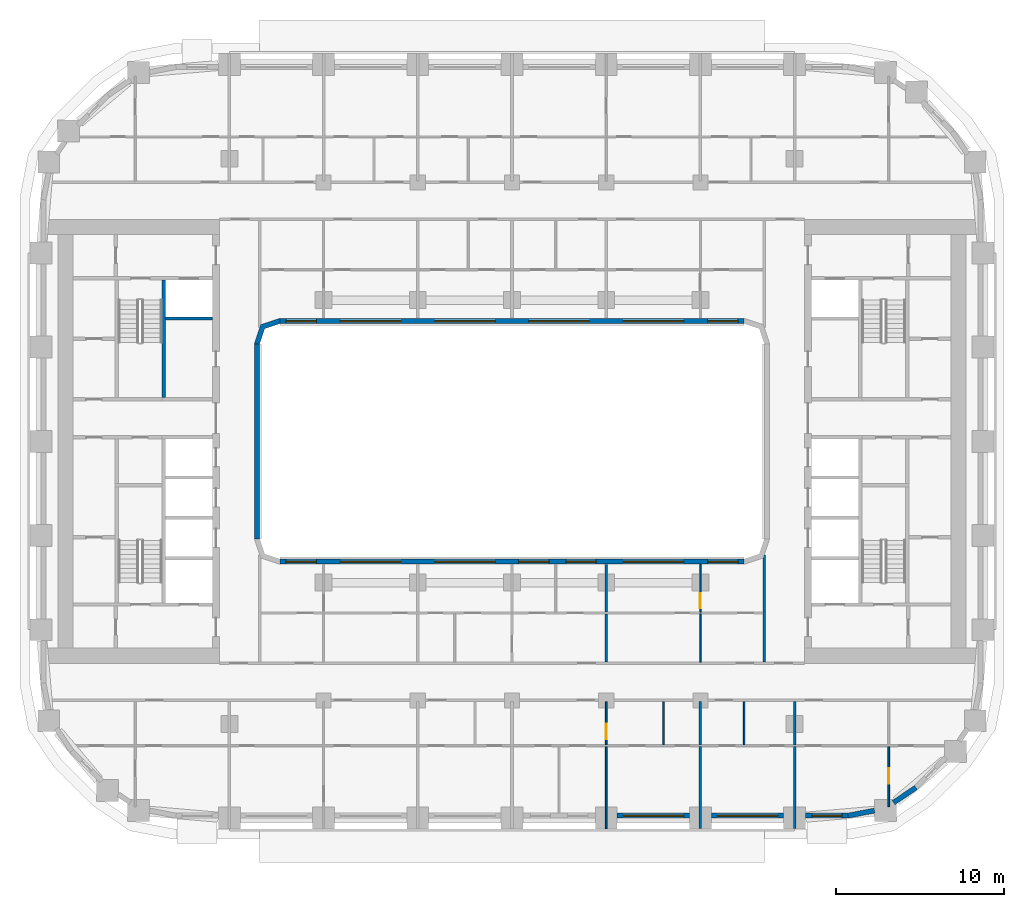
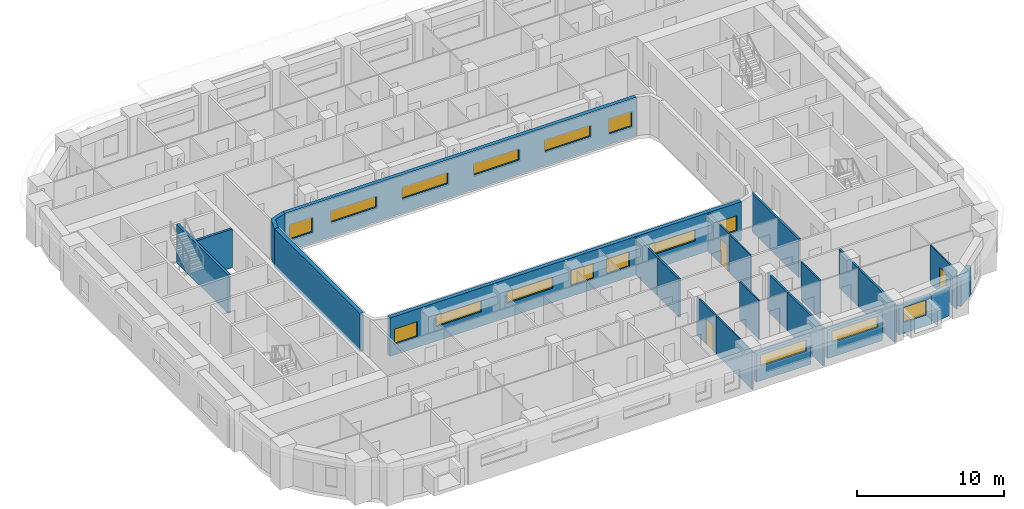
# One storey, part 5 of 22: 25 walls, 16 windows, 3 doors, 19 openings.
"""IFC4 building model written with IfcOpenShell, lengths in metres."""

from ifc_helpers import new_model, si_unit, direction, frame, frame_2d, origin, place, context, subcontext, project, spatial, polyline, rectangle, outline, extrude, material, layer, layer_set, type_object, element, fill, save


model = new_model("IFC4")

# Units and contexts
model_context = context("Model", 3, precision=1e-05, world=origin(), true_north=direction((0.0, 1.0)))
body_context = subcontext(model_context, "Body", "Model", "MODEL_VIEW")
ifc_project = project(units=[si_unit("LENGTHUNIT", "METRE"), si_unit("AREAUNIT", "SQUARE_METRE"), si_unit("VOLUMEUNIT", "CUBIC_METRE"), si_unit("PLANEANGLEUNIT", "RADIAN"), si_unit("MASSUNIT", "GRAM", prefix="KILO")], contexts=[model_context])

# Site, building, storey
site_placement = place(None, origin())
site = spatial("IfcSite", under=ifc_project, at=site_placement, CompositionType="ELEMENT")
building_placement = place(site_placement, origin())
building = spatial("IfcBuilding", under=site, at=building_placement, Name="Kiln Ring Residences", CompositionType="ELEMENT")
storey_placement = place(building_placement, frame((0.0, 0.0, 97.300048828125)))
storey = spatial("IfcBuildingStorey", under=building, at=storey_placement, Name="L24", CompositionType="ELEMENT", Elevation=97.300048828125)

# Walls
ifc_material_1 = material(Name="Gypsum shaft wall system")
ifc_layer_1 = layer(ifc_material_1, 0.199951171875)
ifc_layer_set_1 = layer_set([ifc_layer_1], Name="CORE-SHAFT-WALL-200")
wall_type_1 = type_object("IfcWallType", Name="CORE-SHAFT-WALL-200", PredefinedType="PARTITIONING", material=ifc_layer_set_1)
wall_1_placement = place(storey_placement, frame((-17.800048828125, 7.300048828125, 0.0), z_axis=(0.0, 0.0, 1.0), x_axis=(-1.0, 0.0, 0.0)))
element("IfcWall", 1, at=wall_1_placement, inside=storey, type_object=wall_type_1, Name="Core partition west L24 12", PredefinedType="PARTITIONING", context=body_context, shape_type="SweptSolid", body=[
    extrude(rectangle(XDim=2.800048828125, YDim=0.199951171875, at=frame_2d((1.39990234375, 0.0))), origin(), (0.0, 0.0, 1.0), 3.199951171875),
])
ifc_material_2 = material(Name="Concrete C40/50", Category="concrete")
ifc_layer_2 = layer(ifc_material_2, 0.199951171875)
ifc_layer_set_2 = layer_set([ifc_layer_2], Name="CORE-WALL-RC200")
wall_type_2 = type_object("IfcWallType", Name="CORE-WALL-RC200", PredefinedType="SHEAR", material=ifc_layer_set_2)
wall_2_placement = place(storey_placement, frame((-20.699951171875, 2.60009765625, 0.0), z_axis=(0.0, 0.0, 1.0), x_axis=(0.0, 1.0, 0.0)))
element("IfcWall", 2, at=wall_2_placement, inside=storey, type_object=wall_type_2, Name="Core wall west L24 1", PredefinedType="SHEAR", context=body_context, shape_type="SweptSolid", body=[
    extrude(rectangle(XDim=7.0, YDim=0.199951171875, at=frame_2d((3.5, 0.0))), origin(), (0.0, 0.0, 1.0), 3.199951171875),
])

# Wall, opening, window
ifc_material_3 = material(Name="Brick masonry, dark clay brick", Category="masonry")
ifc_layer_3 = layer(ifc_material_3, 0.300048828125)
ifc_layer_set_3 = layer_set([ifc_layer_3], Name="EW-300 BRICK WALL")
wall_type_3 = type_object("IfcWallType", Name="EW-300 BRICK WALL", PredefinedType="SOLIDWALL", material=ifc_layer_set_3)
wall_3_placement = place(storey_placement, frame((6.25, -22.25, 0.0), z_axis=(0.0, 0.0, 1.0), x_axis=(1.0, 0.0, 0.0)))
wall_3 = element("IfcWall", 3, at=wall_3_placement, inside=storey, type_object=wall_type_3, Name="Facade wall L24 9", PredefinedType="SOLIDWALL", context=body_context, shape_type="SweptSolid", body=[
    extrude(rectangle(XDim=4.300048828125, YDim=0.300048828125, at=frame_2d((2.14990234375, 0.0))), origin(), (0.0, 0.0, 1.0), 2.39990234375),
])
opening_1_placement = place(wall_3_placement, frame((0.35009765625, 0.0, 1.199951171875)))
opening_1 = element("IfcOpeningElement", 4, at=opening_1_placement, cuts=wall_3, Name="Opening W4", PredefinedType="OPENING", context=body_context, shape_type="SweptSolid", body=[
    extrude(rectangle(XDim=3.60009765625, YDim=0.949951171875, at=frame_2d((1.800048828125, 0.47509765625))), frame((0.0, 0.159912109375, 0.0), z_axis=(0.0, -1.0, 0.0), x_axis=(1.0, 0.0, 0.0)), (0.0, 0.0, 1.0), 0.320068359375),
])
ifc_material_4 = material(Name="Aluminium frame with double glazing", Category="aluminium")
window_type_1 = type_object("IfcWindowType", Name="WINDOW 3600 x 950", PartitioningType="SINGLE_PANEL", PredefinedType="WINDOW", material=ifc_material_4)
window_1_placement = place(opening_1_placement, origin())
window_1 = element("IfcWindow", 5, at=window_1_placement, inside=storey, type_object=window_type_1, Name="Window L24 8", OverallHeight=0.949951171875, OverallWidth=3.60009765625, PartitioningType="SINGLE_PANEL", PredefinedType="WINDOW", context=body_context, shape_type="SweptSolid", body=[
    extrude(rectangle(XDim=3.60009765625, YDim=0.949951171875, at=frame_2d((1.800048828125, 0.47509765625))), frame((0.0, 0.030029296875, 0.0), z_axis=(0.0, -1.0, 0.0), x_axis=(1.0, 0.0, 0.0)), (0.0, 0.0, 1.0), 0.06005859375),
])
fill(opening_1, window_1)

wall_4_placement = place(storey_placement, frame((11.85009765625, -22.25, 0.0), z_axis=(0.0, 0.0, 1.0), x_axis=(1.0, 0.0, 0.0)))
wall_4 = element("IfcWall", 6, at=wall_4_placement, inside=storey, type_object=wall_type_3, Name="Facade wall L24 10", PredefinedType="SOLIDWALL", context=body_context, shape_type="SweptSolid", body=[
    extrude(rectangle(XDim=4.2998046875, YDim=0.300048828125, at=frame_2d((2.14990234375, 0.0))), origin(), (0.0, 0.0, 1.0), 2.39990234375),
])
opening_2_placement = place(wall_4_placement, frame((0.35009765625, 0.0, 1.199951171875)))
opening_2 = element("IfcOpeningElement", 7, at=opening_2_placement, cuts=wall_4, Name="Opening W4", PredefinedType="OPENING", context=body_context, shape_type="SweptSolid", body=[
    extrude(rectangle(XDim=3.60009765625, YDim=0.949951171875, at=frame_2d((1.800048828125, 0.47509765625))), frame((0.0, 0.159912109375, 0.0), z_axis=(0.0, -1.0, 0.0), x_axis=(1.0, 0.0, 0.0)), (0.0, 0.0, 1.0), 0.320068359375),
])
window_2_placement = place(opening_2_placement, origin())
window_2 = element("IfcWindow", 8, at=window_2_placement, inside=storey, type_object=window_type_1, Name="Window L24 9", OverallHeight=0.949951171875, OverallWidth=3.60009765625, PartitioningType="SINGLE_PANEL", PredefinedType="WINDOW", context=body_context, shape_type="SweptSolid", body=[
    extrude(rectangle(XDim=3.60009765625, YDim=0.949951171875, at=frame_2d((1.800048828125, 0.47509765625))), frame((0.0, 0.030029296875, 0.0), z_axis=(0.0, -1.0, 0.0), x_axis=(1.0, 0.0, 0.0)), (0.0, 0.0, 1.0), 0.06005859375),
])
fill(opening_2, window_2)

wall_5_placement = place(storey_placement, frame((17.449951171875, -22.25, 0.0), z_axis=(0.0, 0.0, 1.0), x_axis=(1.0, 0.0, 0.0)))
wall_5 = element("IfcWall", 9, at=wall_5_placement, inside=storey, type_object=wall_type_3, Name="Facade wall L24 11", PredefinedType="SOLIDWALL", context=body_context, shape_type="SweptSolid", body=[
    extrude(rectangle(XDim=2.550048828125, YDim=0.300048828125, at=frame_2d((1.27490234375, 0.0))), origin(), (0.0, 0.0, 1.0), 2.39990234375),
])
opening_3_placement = place(wall_5_placement, frame((0.375, 0.0, 0.89990234375)))
opening_3 = element("IfcOpeningElement", 10, at=opening_3_placement, cuts=wall_5, Name="Opening W2", PredefinedType="OPENING", context=body_context, shape_type="SweptSolid", body=[
    extrude(rectangle(XDim=1.800048828125, YDim=1.25, at=frame_2d((0.89990234375, 0.625))), frame((0.0, 0.159912109375, 0.0), z_axis=(0.0, -1.0, 0.0), x_axis=(1.0, 0.0, 0.0)), (0.0, 0.0, 1.0), 0.320068359375),
])
ifc_material_5 = material(Name="Aluminium frame with double glazing", Category="aluminium")
window_type_2 = type_object("IfcWindowType", Name="WINDOW 1800 x 1250", PartitioningType="SINGLE_PANEL", PredefinedType="WINDOW", material=ifc_material_5)
window_3_placement = place(opening_3_placement, origin())
window_3 = element("IfcWindow", 11, at=window_3_placement, inside=storey, type_object=window_type_2, Name="Window L24 10", OverallHeight=1.25, OverallWidth=1.800048828125, PartitioningType="SINGLE_PANEL", PredefinedType="WINDOW", context=body_context, shape_type="SweptSolid", body=[
    extrude(rectangle(XDim=1.800048828125, YDim=1.25, at=frame_2d((0.89990234375, 0.625))), frame((0.0, 0.030029296875, 0.0), z_axis=(0.0, -1.0, 0.0), x_axis=(1.0, 0.0, 0.0)), (0.0, 0.0, 1.0), 0.06005859375),
])
fill(opening_3, window_3)

# Walls
for number, where, z_axis, x_axis, name in (
    (12, (19.971923828125, -22.252685546875, 0.0), (0.0, 0.0, 1.0), (0.982278644094, 0.187426426519, 0.0), "Facade wall L24 12"),
    (13, (22.684326171875, -21.481689453125, 0.0), (0.0, 0.0, 1.0), (0.82705935865, 0.562114594429, 0.0), "Facade wall L24 13"),
):
    element("IfcWall", number, at=place(storey_placement, frame(where, z_axis=z_axis, x_axis=x_axis)), inside=storey, type_object=wall_type_3, Name=name, PredefinedType="SOLIDWALL", context=body_context, shape_type="SweptSolid", body=[
        extrude(rectangle(XDim=1.606201171875, YDim=0.300048828125, at=frame_2d((0.80322265625, 0.0))), origin(), (0.0, 0.0, 1.0), 2.39990234375),
    ])
wall_6_placement = place(storey_placement, frame((-15.14990234375, -5.800048828125, 0.0), z_axis=(0.0, 0.0, 1.0), x_axis=(0.0, 1.0, 0.0)))
element("IfcWall", 14, at=wall_6_placement, inside=storey, type_object=wall_type_3, Name="Facade wall L24 49", PredefinedType="SOLIDWALL", context=body_context, shape_type="SweptSolid", body=[
    extrude(rectangle(XDim=11.60009765625, YDim=0.300048828125, at=frame_2d((5.800048828125, 0.0))), origin(), (0.0, 0.0, 1.0), 3.199951171875),
])

# Wall, openings, windows
wall_7_placement = place(storey_placement, frame((-13.800048828125, 7.14990234375, 0.0), z_axis=(0.0, 0.0, 1.0), x_axis=(1.0, 0.0, 0.0)))
wall_7 = element("IfcWall", 15, at=wall_7_placement, inside=storey, type_object=wall_type_3, Name="Facade wall L24 50", PredefinedType="SOLIDWALL", context=body_context, shape_type="SweptSolid", body=[
    extrude(rectangle(XDim=27.60009765625, YDim=0.300048828125, at=frame_2d((13.800048828125, 0.0))), origin(), (0.0, 0.0, 1.0), 3.199951171875),
])
opening_4_placement = place(wall_7_placement, frame((0.362548828125, 0.0, 0.89990234375)))
opening_4 = element("IfcOpeningElement", 16, at=opening_4_placement, cuts=wall_7, Name="Opening W2", PredefinedType="OPENING", context=body_context, shape_type="SweptSolid", body=[
    extrude(rectangle(XDim=1.800048828125, YDim=1.25, at=frame_2d((0.89990234375, 0.625))), frame((0.0, 0.159912109375, 0.0), z_axis=(0.0, -1.0, 0.0), x_axis=(1.0, 0.0, 0.0)), (0.0, 0.0, 1.0), 0.320068359375),
])
opening_5_placement = place(wall_7_placement, frame((3.60009765625, 0.0, 1.199951171875)))
opening_5 = element("IfcOpeningElement", 17, at=opening_5_placement, cuts=wall_7, Name="Opening W4", PredefinedType="OPENING", context=body_context, shape_type="SweptSolid", body=[
    extrude(rectangle(XDim=3.60009765625, YDim=0.949951171875, at=frame_2d((1.800048828125, 0.47509765625))), frame((0.0, 0.159912109375, 0.0), z_axis=(0.0, -1.0, 0.0), x_axis=(1.0, 0.0, 0.0)), (0.0, 0.0, 1.0), 0.320068359375),
])
opening_6_placement = place(wall_7_placement, frame((9.199951171875, 0.0, 1.199951171875)))
opening_6 = element("IfcOpeningElement", 18, at=opening_6_placement, cuts=wall_7, Name="Opening W4", PredefinedType="OPENING", context=body_context, shape_type="SweptSolid", body=[
    extrude(rectangle(XDim=3.60009765625, YDim=0.949951171875, at=frame_2d((1.800048828125, 0.47509765625))), frame((0.0, 0.159912109375, 0.0), z_axis=(0.0, -1.0, 0.0), x_axis=(1.0, 0.0, 0.0)), (0.0, 0.0, 1.0), 0.320068359375),
])
opening_7_placement = place(wall_7_placement, frame((14.800048828125, 0.0, 1.199951171875)))
opening_7 = element("IfcOpeningElement", 19, at=opening_7_placement, cuts=wall_7, Name="Opening W4", PredefinedType="OPENING", context=body_context, shape_type="SweptSolid", body=[
    extrude(rectangle(XDim=3.60009765625, YDim=0.949951171875, at=frame_2d((1.800048828125, 0.47509765625))), frame((0.0, 0.159912109375, 0.0), z_axis=(0.0, -1.0, 0.0), x_axis=(1.0, 0.0, 0.0)), (0.0, 0.0, 1.0), 0.320068359375),
])
opening_8_placement = place(wall_7_placement, frame((20.39990234375, 0.0, 1.199951171875)))
opening_8 = element("IfcOpeningElement", 20, at=opening_8_placement, cuts=wall_7, Name="Opening W4", PredefinedType="OPENING", context=body_context, shape_type="SweptSolid", body=[
    extrude(rectangle(XDim=3.60009765625, YDim=0.949951171875, at=frame_2d((1.800048828125, 0.47509765625))), frame((0.0, 0.159912109375, 0.0), z_axis=(0.0, -1.0, 0.0), x_axis=(1.0, 0.0, 0.0)), (0.0, 0.0, 1.0), 0.320068359375),
])
opening_9_placement = place(wall_7_placement, frame((25.4375, 0.0, 0.89990234375)))
opening_9 = element("IfcOpeningElement", 21, at=opening_9_placement, cuts=wall_7, Name="Opening W2", PredefinedType="OPENING", context=body_context, shape_type="SweptSolid", body=[
    extrude(rectangle(XDim=1.800048828125, YDim=1.25, at=frame_2d((0.89990234375, 0.625))), frame((0.0, 0.159912109375, 0.0), z_axis=(0.0, -1.0, 0.0), x_axis=(1.0, 0.0, 0.0)), (0.0, 0.0, 1.0), 0.320068359375),
])
window_4_placement = place(opening_4_placement, origin())
window_4 = element("IfcWindow", 22, at=window_4_placement, inside=storey, type_object=window_type_2, Name="Window L24 22", OverallHeight=1.25, OverallWidth=1.800048828125, PartitioningType="SINGLE_PANEL", PredefinedType="WINDOW", context=body_context, shape_type="SweptSolid", body=[
    extrude(rectangle(XDim=1.800048828125, YDim=1.25, at=frame_2d((0.89990234375, 0.625))), frame((0.0, 0.030029296875, 0.0), z_axis=(0.0, -1.0, 0.0), x_axis=(1.0, 0.0, 0.0)), (0.0, 0.0, 1.0), 0.06005859375),
])
fill(opening_4, window_4)
window_5_placement = place(opening_9_placement, origin())
window_5 = element("IfcWindow", 23, at=window_5_placement, inside=storey, type_object=window_type_2, Name="Window L24 27", OverallHeight=1.25, OverallWidth=1.800048828125, PartitioningType="SINGLE_PANEL", PredefinedType="WINDOW", context=body_context, shape_type="SweptSolid", body=[
    extrude(rectangle(XDim=1.800048828125, YDim=1.25, at=frame_2d((0.89990234375, 0.625))), frame((0.0, 0.030029296875, 0.0), z_axis=(0.0, -1.0, 0.0), x_axis=(1.0, 0.0, 0.0)), (0.0, 0.0, 1.0), 0.06005859375),
])
fill(opening_9, window_5)
window_6_placement = place(opening_5_placement, origin())
window_6 = element("IfcWindow", 24, at=window_6_placement, inside=storey, type_object=window_type_1, Name="Window L24 23", OverallHeight=0.949951171875, OverallWidth=3.60009765625, PartitioningType="SINGLE_PANEL", PredefinedType="WINDOW", context=body_context, shape_type="SweptSolid", body=[
    extrude(rectangle(XDim=3.60009765625, YDim=0.949951171875, at=frame_2d((1.800048828125, 0.47509765625))), frame((0.0, 0.030029296875, 0.0), z_axis=(0.0, -1.0, 0.0), x_axis=(1.0, 0.0, 0.0)), (0.0, 0.0, 1.0), 0.06005859375),
])
fill(opening_5, window_6)
window_7_placement = place(opening_6_placement, origin())
window_7 = element("IfcWindow", 25, at=window_7_placement, inside=storey, type_object=window_type_1, Name="Window L24 24", OverallHeight=0.949951171875, OverallWidth=3.60009765625, PartitioningType="SINGLE_PANEL", PredefinedType="WINDOW", context=body_context, shape_type="SweptSolid", body=[
    extrude(rectangle(XDim=3.60009765625, YDim=0.949951171875, at=frame_2d((1.800048828125, 0.47509765625))), frame((0.0, 0.030029296875, 0.0), z_axis=(0.0, -1.0, 0.0), x_axis=(1.0, 0.0, 0.0)), (0.0, 0.0, 1.0), 0.06005859375),
])
fill(opening_6, window_7)
window_8_placement = place(opening_7_placement, origin())
window_8 = element("IfcWindow", 26, at=window_8_placement, inside=storey, type_object=window_type_1, Name="Window L24 25", OverallHeight=0.949951171875, OverallWidth=3.60009765625, PartitioningType="SINGLE_PANEL", PredefinedType="WINDOW", context=body_context, shape_type="SweptSolid", body=[
    extrude(rectangle(XDim=3.60009765625, YDim=0.949951171875, at=frame_2d((1.800048828125, 0.47509765625))), frame((0.0, 0.030029296875, 0.0), z_axis=(0.0, -1.0, 0.0), x_axis=(1.0, 0.0, 0.0)), (0.0, 0.0, 1.0), 0.06005859375),
])
fill(opening_7, window_8)
window_9_placement = place(opening_8_placement, origin())
window_9 = element("IfcWindow", 27, at=window_9_placement, inside=storey, type_object=window_type_1, Name="Window L24 26", OverallHeight=0.949951171875, OverallWidth=3.60009765625, PartitioningType="SINGLE_PANEL", PredefinedType="WINDOW", context=body_context, shape_type="SweptSolid", body=[
    extrude(rectangle(XDim=3.60009765625, YDim=0.949951171875, at=frame_2d((1.800048828125, 0.47509765625))), frame((0.0, 0.030029296875, 0.0), z_axis=(0.0, -1.0, 0.0), x_axis=(1.0, 0.0, 0.0)), (0.0, 0.0, 1.0), 0.06005859375),
])
fill(opening_8, window_9)

wall_8_placement = place(storey_placement, frame((13.800048828125, -7.14990234375, 0.0), z_axis=(0.0, 0.0, 1.0), x_axis=(-1.0, 0.0, 0.0)))
wall_8 = element("IfcWall", 28, at=wall_8_placement, inside=storey, type_object=wall_type_3, Name="Facade wall L24 52", PredefinedType="SOLIDWALL", context=body_context, shape_type="SweptSolid", body=[
    extrude(rectangle(XDim=27.60009765625, YDim=0.300048828125, at=frame_2d((13.800048828125, 0.0))), origin(), (0.0, 0.0, 1.0), 3.199951171875),
])
opening_10_placement = place(wall_8_placement, frame((0.362548828125, 0.0, 0.89990234375)))
opening_10 = element("IfcOpeningElement", 29, at=opening_10_placement, cuts=wall_8, Name="Opening W2", PredefinedType="OPENING", context=body_context, shape_type="SweptSolid", body=[
    extrude(rectangle(XDim=1.800048828125, YDim=1.25, at=frame_2d((0.89990234375, 0.625))), frame((0.0, 0.159912109375, 0.0), z_axis=(0.0, -1.0, 0.0), x_axis=(1.0, 0.0, 0.0)), (0.0, 0.0, 1.0), 0.320068359375),
])
opening_11_placement = place(wall_8_placement, frame((3.60009765625, 0.0, 1.199951171875)))
opening_11 = element("IfcOpeningElement", 30, at=opening_11_placement, cuts=wall_8, Name="Opening W4", PredefinedType="OPENING", context=body_context, shape_type="SweptSolid", body=[
    extrude(rectangle(XDim=3.60009765625, YDim=0.949951171875, at=frame_2d((1.800048828125, 0.47509765625))), frame((0.0, 0.159912109375, 0.0), z_axis=(0.0, -1.0, 0.0), x_axis=(1.0, 0.0, 0.0)), (0.0, 0.0, 1.0), 0.320068359375),
])
opening_12_placement = place(wall_8_placement, frame((8.800048828125, 0.0, 0.89990234375)))
opening_12 = element("IfcOpeningElement", 31, at=opening_12_placement, cuts=wall_8, Name="Opening W2", PredefinedType="OPENING", context=body_context, shape_type="SweptSolid", body=[
    extrude(rectangle(XDim=1.800048828125, YDim=1.25, at=frame_2d((0.89990234375, 0.625))), frame((0.0, 0.159912109375, 0.0), z_axis=(0.0, -1.0, 0.0), x_axis=(1.0, 0.0, 0.0)), (0.0, 0.0, 1.0), 0.320068359375),
])
opening_13_placement = place(wall_8_placement, frame((11.60009765625, 0.0, 0.89990234375)))
opening_13 = element("IfcOpeningElement", 32, at=opening_13_placement, cuts=wall_8, Name="Opening W2", PredefinedType="OPENING", context=body_context, shape_type="SweptSolid", body=[
    extrude(rectangle(XDim=1.800048828125, YDim=1.25, at=frame_2d((0.89990234375, 0.625))), frame((0.0, 0.159912109375, 0.0), z_axis=(0.0, -1.0, 0.0), x_axis=(1.0, 0.0, 0.0)), (0.0, 0.0, 1.0), 0.320068359375),
])
opening_14_placement = place(wall_8_placement, frame((14.800048828125, 0.0, 1.199951171875)))
opening_14 = element("IfcOpeningElement", 33, at=opening_14_placement, cuts=wall_8, Name="Opening W4", PredefinedType="OPENING", context=body_context, shape_type="SweptSolid", body=[
    extrude(rectangle(XDim=3.60009765625, YDim=0.949951171875, at=frame_2d((1.800048828125, 0.47509765625))), frame((0.0, 0.159912109375, 0.0), z_axis=(0.0, -1.0, 0.0), x_axis=(1.0, 0.0, 0.0)), (0.0, 0.0, 1.0), 0.320068359375),
])
opening_15_placement = place(wall_8_placement, frame((20.39990234375, 0.0, 1.199951171875)))
opening_15 = element("IfcOpeningElement", 34, at=opening_15_placement, cuts=wall_8, Name="Opening W4", PredefinedType="OPENING", context=body_context, shape_type="SweptSolid", body=[
    extrude(rectangle(XDim=3.60009765625, YDim=0.949951171875, at=frame_2d((1.800048828125, 0.47509765625))), frame((0.0, 0.159912109375, 0.0), z_axis=(0.0, -1.0, 0.0), x_axis=(1.0, 0.0, 0.0)), (0.0, 0.0, 1.0), 0.320068359375),
])
opening_16_placement = place(wall_8_placement, frame((25.4375, 0.0, 0.89990234375)))
opening_16 = element("IfcOpeningElement", 35, at=opening_16_placement, cuts=wall_8, Name="Opening W2", PredefinedType="OPENING", context=body_context, shape_type="SweptSolid", body=[
    extrude(rectangle(XDim=1.800048828125, YDim=1.25, at=frame_2d((0.89990234375, 0.625))), frame((0.0, 0.159912109375, 0.0), z_axis=(0.0, -1.0, 0.0), x_axis=(1.0, 0.0, 0.0)), (0.0, 0.0, 1.0), 0.320068359375),
])
window_10_placement = place(opening_10_placement, origin())
window_10 = element("IfcWindow", 36, at=window_10_placement, inside=storey, type_object=window_type_2, Name="Window L24 28", OverallHeight=1.25, OverallWidth=1.800048828125, PartitioningType="SINGLE_PANEL", PredefinedType="WINDOW", context=body_context, shape_type="SweptSolid", body=[
    extrude(rectangle(XDim=1.800048828125, YDim=1.25, at=frame_2d((0.89990234375, 0.625))), frame((0.0, 0.030029296875, 0.0), z_axis=(0.0, -1.0, 0.0), x_axis=(1.0, 0.0, 0.0)), (0.0, 0.0, 1.0), 0.06005859375),
])
fill(opening_10, window_10)
window_11_placement = place(opening_12_placement, origin())
window_11 = element("IfcWindow", 37, at=window_11_placement, inside=storey, type_object=window_type_2, Name="Window L24 30", OverallHeight=1.25, OverallWidth=1.800048828125, PartitioningType="SINGLE_PANEL", PredefinedType="WINDOW", context=body_context, shape_type="SweptSolid", body=[
    extrude(rectangle(XDim=1.800048828125, YDim=1.25, at=frame_2d((0.89990234375, 0.625))), frame((0.0, 0.030029296875, 0.0), z_axis=(0.0, -1.0, 0.0), x_axis=(1.0, 0.0, 0.0)), (0.0, 0.0, 1.0), 0.06005859375),
])
fill(opening_12, window_11)
window_12_placement = place(opening_13_placement, origin())
window_12 = element("IfcWindow", 38, at=window_12_placement, inside=storey, type_object=window_type_2, Name="Window L24 31", OverallHeight=1.25, OverallWidth=1.800048828125, PartitioningType="SINGLE_PANEL", PredefinedType="WINDOW", context=body_context, shape_type="SweptSolid", body=[
    extrude(rectangle(XDim=1.800048828125, YDim=1.25, at=frame_2d((0.89990234375, 0.625))), frame((0.0, 0.030029296875, 0.0), z_axis=(0.0, -1.0, 0.0), x_axis=(1.0, 0.0, 0.0)), (0.0, 0.0, 1.0), 0.06005859375),
])
fill(opening_13, window_12)
window_13_placement = place(opening_16_placement, origin())
window_13 = element("IfcWindow", 39, at=window_13_placement, inside=storey, type_object=window_type_2, Name="Window L24 34", OverallHeight=1.25, OverallWidth=1.800048828125, PartitioningType="SINGLE_PANEL", PredefinedType="WINDOW", context=body_context, shape_type="SweptSolid", body=[
    extrude(rectangle(XDim=1.800048828125, YDim=1.25, at=frame_2d((0.89990234375, 0.625))), frame((0.0, 0.030029296875, 0.0), z_axis=(0.0, -1.0, 0.0), x_axis=(1.0, 0.0, 0.0)), (0.0, 0.0, 1.0), 0.06005859375),
])
fill(opening_16, window_13)
window_14_placement = place(opening_11_placement, origin())
window_14 = element("IfcWindow", 40, at=window_14_placement, inside=storey, type_object=window_type_1, Name="Window L24 29", OverallHeight=0.949951171875, OverallWidth=3.60009765625, PartitioningType="SINGLE_PANEL", PredefinedType="WINDOW", context=body_context, shape_type="SweptSolid", body=[
    extrude(rectangle(XDim=3.60009765625, YDim=0.949951171875, at=frame_2d((1.800048828125, 0.47509765625))), frame((0.0, 0.030029296875, 0.0), z_axis=(0.0, -1.0, 0.0), x_axis=(1.0, 0.0, 0.0)), (0.0, 0.0, 1.0), 0.06005859375),
])
fill(opening_11, window_14)
window_15_placement = place(opening_14_placement, origin())
window_15 = element("IfcWindow", 41, at=window_15_placement, inside=storey, type_object=window_type_1, Name="Window L24 32", OverallHeight=0.949951171875, OverallWidth=3.60009765625, PartitioningType="SINGLE_PANEL", PredefinedType="WINDOW", context=body_context, shape_type="SweptSolid", body=[
    extrude(rectangle(XDim=3.60009765625, YDim=0.949951171875, at=frame_2d((1.800048828125, 0.47509765625))), frame((0.0, 0.030029296875, 0.0), z_axis=(0.0, -1.0, 0.0), x_axis=(1.0, 0.0, 0.0)), (0.0, 0.0, 1.0), 0.06005859375),
])
fill(opening_14, window_15)
window_16_placement = place(opening_15_placement, origin())
window_16 = element("IfcWindow", 42, at=window_16_placement, inside=storey, type_object=window_type_1, Name="Window L24 33", OverallHeight=0.949951171875, OverallWidth=3.60009765625, PartitioningType="SINGLE_PANEL", PredefinedType="WINDOW", context=body_context, shape_type="SweptSolid", body=[
    extrude(rectangle(XDim=3.60009765625, YDim=0.949951171875, at=frame_2d((1.800048828125, 0.47509765625))), frame((0.0, 0.030029296875, 0.0), z_axis=(0.0, -1.0, 0.0), x_axis=(1.0, 0.0, 0.0)), (0.0, 0.0, 1.0), 0.06005859375),
])
fill(opening_15, window_16)

# Walls
wall_9_placement = place(storey_placement, origin())
element("IfcWall", 43, at=wall_9_placement, inside=storey, type_object=wall_type_3, Name="Corner wall L24 1", PredefinedType="SOLIDWALL", context=body_context, shape_type="SweptSolid", body=[
    extrude(outline(polyline([(-13.8486328125, 7.300048828125), (-14.937255859375, 6.937255859375), (-15.300048828125, 5.8486328125), (-15.300048828125, 5.800048828125), (-15.0, 5.800048828125), (-14.699951171875, 6.699951171875), (-13.800048828125, 7.0), (-13.800048828125, 7.300048828125), (-13.8486328125, 7.300048828125)])), origin(), (0.0, 0.0, 1.0), 3.199951171875),
])
ifc_material_6 = material(Name="Gypsum board on steel studs", Category="steel")
ifc_layer_4 = layer(ifc_material_6, 0.10009765625)
ifc_layer_set_4 = layer_set([ifc_layer_4], Name="PARTITION-100")
wall_type_4 = type_object("IfcWallType", Name="PARTITION-100", PredefinedType="PARTITIONING", material=ifc_layer_set_4)
wall_10_placement = place(storey_placement, frame((5.60009765625, -23.030029296875, 0.0), z_axis=(0.0, 0.0, 1.0), x_axis=(0.0, 1.0, 0.0)))
element("IfcWall", 44, at=wall_10_placement, inside=storey, type_object=wall_type_4, Name="Partition 051", PredefinedType="PARTITIONING", context=body_context, shape_type="SweptSolid", body=[
    extrude(rectangle(XDim=4.880126953125, YDim=0.10009765625, at=frame_2d((2.43994140625, 0.0))), origin(), (0.0, 0.0, 1.0), 3.199951171875),
])

# Wall, opening, door
wall_11_placement = place(storey_placement, frame((5.60009765625, -18.050048828125, 0.0), z_axis=(0.0, 0.0, 1.0), x_axis=(0.0, 1.0, 0.0)))
wall_11 = element("IfcWall", 45, at=wall_11_placement, inside=storey, type_object=wall_type_4, Name="Partition 052", PredefinedType="PARTITIONING", context=body_context, shape_type="SweptSolid", body=[
    extrude(rectangle(XDim=2.574951171875, YDim=0.10009765625, at=frame_2d((1.28759765625, 0.0))), origin(), (0.0, 0.0, 1.0), 3.199951171875),
])
opening_17_placement = place(wall_11_placement, frame((0.35009765625, 0.0, 0.0)))
opening_17 = element("IfcOpeningElement", 46, at=opening_17_placement, cuts=wall_11, Name="Opening L24-D069", PredefinedType="OPENING", context=body_context, shape_type="SweptSolid", body=[
    extrude(rectangle(XDim=0.89990234375, YDim=2.10009765625, at=frame_2d((0.449951171875, 1.050048828125))), frame((0.0, 0.06005859375, 0.0), z_axis=(0.0, -1.0, 0.0), x_axis=(1.0, 0.0, 0.0)), (0.0, 0.0, 1.0), 0.1201171875),
])
ifc_material_7 = material(Name="Timber door leaf", Category="wood")
door_type = type_object("IfcDoorType", Name="FLAT-DOOR-900-PL", OperationType="SINGLE_SWING_LEFT", PredefinedType="DOOR", material=ifc_material_7)
door_1_placement = place(opening_17_placement, origin())
door_1 = element("IfcDoor", 47, at=door_1_placement, inside=storey, type_object=door_type, Name="Door L24-D069", OperationType="SINGLE_SWING_LEFT", OverallHeight=2.10009765625, OverallWidth=0.89990234375, PredefinedType="DOOR", context=body_context, shape_type="SweptSolid", body=[
    extrude(rectangle(XDim=0.89990234375, YDim=2.10009765625, at=frame_2d((0.449951171875, 1.050048828125))), frame((0.0, 0.02490234375, 0.0), z_axis=(0.0, -1.0, 0.0), x_axis=(1.0, 0.0, 0.0)), (0.0, 0.0, 1.0), 0.050048828125),
])
fill(opening_17, door_1)

# Walls
wall_12_placement = place(storey_placement, frame((9.0, -18.050048828125, 0.0), z_axis=(0.0, 0.0, 1.0), x_axis=(0.0, 1.0, 0.0)))
element("IfcWall", 48, at=wall_12_placement, inside=storey, type_object=wall_type_4, Name="Partition 059", PredefinedType="PARTITIONING", context=body_context, shape_type="SweptSolid", body=[
    extrude(rectangle(XDim=2.574951171875, YDim=0.10009765625, at=frame_2d((1.28759765625, 0.0))), origin(), (0.0, 0.0, 1.0), 3.199951171875),
])
wall_13_placement = place(storey_placement, frame((11.199951171875, -13.125, 0.0), z_axis=(0.0, 0.0, 1.0), x_axis=(0.0, 1.0, 0.0)))
element("IfcWall", 49, at=wall_13_placement, inside=storey, type_object=wall_type_4, Name="Partition 060", PredefinedType="PARTITIONING", context=body_context, shape_type="SweptSolid", body=[
    extrude(rectangle(XDim=2.875, YDim=0.10009765625, at=frame_2d((1.4375, 0.0))), origin(), (0.0, 0.0, 1.0), 3.199951171875),
])

# Wall, opening, door
wall_14_placement = place(storey_placement, frame((11.199951171875, -10.14990234375, 0.0), z_axis=(0.0, 0.0, 1.0), x_axis=(0.0, 1.0, 0.0)))
wall_14 = element("IfcWall", 50, at=wall_14_placement, inside=storey, type_object=wall_type_4, Name="Partition 061", PredefinedType="PARTITIONING", context=body_context, shape_type="SweptSolid", body=[
    extrude(rectangle(XDim=2.829833984375, YDim=0.10009765625, at=frame_2d((1.4150390625, 0.0))), origin(), (0.0, 0.0, 1.0), 3.199951171875),
])
opening_18_placement = place(wall_14_placement, frame((0.22998046875, 0.0, 0.0)))
opening_18 = element("IfcOpeningElement", 51, at=opening_18_placement, cuts=wall_14, Name="Opening L24-D056", PredefinedType="OPENING", context=body_context, shape_type="SweptSolid", body=[
    extrude(rectangle(XDim=0.89990234375, YDim=2.10009765625, at=frame_2d((0.449951171875, 1.050048828125))), frame((0.0, 0.06005859375, 0.0), z_axis=(0.0, -1.0, 0.0), x_axis=(1.0, 0.0, 0.0)), (0.0, 0.0, 1.0), 0.1201171875),
])
door_2_placement = place(opening_18_placement, origin())
door_2 = element("IfcDoor", 52, at=door_2_placement, inside=storey, type_object=door_type, Name="Door L24-D056", OperationType="SINGLE_SWING_RIGHT", OverallHeight=2.10009765625, OverallWidth=0.89990234375, PredefinedType="DOOR", context=body_context, shape_type="SweptSolid", body=[
    extrude(rectangle(XDim=0.89990234375, YDim=2.10009765625, at=frame_2d((0.449951171875, 1.050048828125))), frame((0.0, 0.02490234375, 0.0), z_axis=(0.0, -1.0, 0.0), x_axis=(1.0, 0.0, 0.0)), (0.0, 0.0, 1.0), 0.050048828125),
])
fill(opening_18, door_2)

# Wall
wall_15_placement = place(storey_placement, frame((13.800048828125, -18.050048828125, 0.0), z_axis=(0.0, 0.0, 1.0), x_axis=(0.0, 1.0, 0.0)))
element("IfcWall", 53, at=wall_15_placement, inside=storey, type_object=wall_type_4, Name="Partition 068", PredefinedType="PARTITIONING", context=body_context, shape_type="SweptSolid", body=[
    extrude(rectangle(XDim=2.574951171875, YDim=0.10009765625, at=frame_2d((1.28759765625, 0.0))), origin(), (0.0, 0.0, 1.0), 3.199951171875),
])

# Wall, opening, door
wall_16_placement = place(storey_placement, frame((22.39990234375, -21.719970703125, 0.0), z_axis=(0.0, 0.0, 1.0), x_axis=(0.0, 1.0, 0.0)))
wall_16 = element("IfcWall", 54, at=wall_16_placement, inside=storey, type_object=wall_type_4, Name="Partition 076", PredefinedType="PARTITIONING", context=body_context, shape_type="SweptSolid", body=[
    extrude(rectangle(XDim=3.570068359375, YDim=0.10009765625, at=frame_2d((1.78515625, 0.0))), origin(), (0.0, 0.0, 1.0), 3.199951171875),
])
opening_19_placement = place(wall_16_placement, frame((1.3720703125, 0.0, 0.0)))
opening_19 = element("IfcOpeningElement", 55, at=opening_19_placement, cuts=wall_16, Name="Opening L24-D080", PredefinedType="OPENING", context=body_context, shape_type="SweptSolid", body=[
    extrude(rectangle(XDim=0.89990234375, YDim=2.10009765625, at=frame_2d((0.449951171875, 1.050048828125))), frame((0.0, 0.06005859375, 0.0), z_axis=(0.0, -1.0, 0.0), x_axis=(1.0, 0.0, 0.0)), (0.0, 0.0, 1.0), 0.1201171875),
])
door_3_placement = place(opening_19_placement, origin())
door_3 = element("IfcDoor", 56, at=door_3_placement, inside=storey, type_object=door_type, Name="Door L24-D080", OperationType="SINGLE_SWING_RIGHT", OverallHeight=2.10009765625, OverallWidth=0.89990234375, PredefinedType="DOOR", context=body_context, shape_type="SweptSolid", body=[
    extrude(rectangle(XDim=0.89990234375, YDim=2.10009765625, at=frame_2d((0.449951171875, 1.050048828125))), frame((0.0, 0.02490234375, 0.0), z_axis=(0.0, -1.0, 0.0), x_axis=(1.0, 0.0, 0.0)), (0.0, 0.0, 1.0), 0.050048828125),
])
fill(opening_19, door_3)

# Walls
ifc_material_8 = material(Name="Brick masonry partition", Category="masonry")
ifc_layer_5 = layer(ifc_material_8, 0.14990234375)
ifc_layer_set_5 = layer_set([ifc_layer_5], Name="PARTITION-150-ei60")
wall_type_5 = type_object("IfcWallType", Name="PARTITION-150-ei60", PredefinedType="PARTITIONING", material=ifc_layer_set_5)
wall_17_placement = place(storey_placement, frame((5.60009765625, -13.125, 0.0), z_axis=(0.0, 0.0, 1.0), x_axis=(0.0, 1.0, 0.0)))
element("IfcWall", 57, at=wall_17_placement, inside=storey, type_object=wall_type_5, Name="Partition 055", PredefinedType="PARTITIONING", context=body_context, shape_type="SweptSolid", body=[
    extrude(rectangle(XDim=2.875, YDim=0.14990234375, at=frame_2d((1.4375, 0.0))), origin(), (0.0, 0.0, 1.0), 3.199951171875),
])
wall_18_placement = place(storey_placement, frame((5.60009765625, -10.14990234375, 0.0), z_axis=(0.0, 0.0, 1.0), x_axis=(0.0, 1.0, 0.0)))
element("IfcWall", 58, at=wall_18_placement, inside=storey, type_object=wall_type_5, Name="Partition 056", PredefinedType="PARTITIONING", context=body_context, shape_type="SweptSolid", body=[
    extrude(rectangle(XDim=2.829833984375, YDim=0.14990234375, at=frame_2d((1.4150390625, 0.0))), origin(), (0.0, 0.0, 1.0), 3.199951171875),
])
wall_19_placement = place(storey_placement, frame((11.199951171875, -23.030029296875, 0.0), z_axis=(0.0, 0.0, 1.0), x_axis=(0.0, 1.0, 0.0)))
element("IfcWall", 59, at=wall_19_placement, inside=storey, type_object=wall_type_5, Name="Partition 064", PredefinedType="PARTITIONING", context=body_context, shape_type="SweptSolid", body=[
    extrude(rectangle(XDim=4.880126953125, YDim=0.14990234375, at=frame_2d((2.43994140625, 0.0))), origin(), (0.0, 0.0, 1.0), 3.199951171875),
])
wall_20_placement = place(storey_placement, frame((11.199951171875, -18.050048828125, 0.0), z_axis=(0.0, 0.0, 1.0), x_axis=(0.0, 1.0, 0.0)))
element("IfcWall", 60, at=wall_20_placement, inside=storey, type_object=wall_type_5, Name="Partition 065", PredefinedType="PARTITIONING", context=body_context, shape_type="SweptSolid", body=[
    extrude(rectangle(XDim=2.574951171875, YDim=0.14990234375, at=frame_2d((1.28759765625, 0.0))), origin(), (0.0, 0.0, 1.0), 3.199951171875),
])
wall_21_placement = place(storey_placement, frame((15.0, -13.125, 0.0), z_axis=(0.0, 0.0, 1.0), x_axis=(0.0, 1.0, 0.0)))
element("IfcWall", 61, at=wall_21_placement, inside=storey, type_object=wall_type_5, Name="Partition 070", PredefinedType="PARTITIONING", context=body_context, shape_type="SweptSolid", body=[
    extrude(rectangle(XDim=6.356201171875, YDim=0.14990234375, at=frame_2d((3.17822265625, 0.0))), origin(), (0.0, 0.0, 1.0), 3.199951171875),
])
wall_22_placement = place(storey_placement, frame((16.800048828125, -23.030029296875, 0.0), z_axis=(0.0, 0.0, 1.0), x_axis=(0.0, 1.0, 0.0)))
element("IfcWall", 62, at=wall_22_placement, inside=storey, type_object=wall_type_5, Name="Partition 072", PredefinedType="PARTITIONING", context=body_context, shape_type="SweptSolid", body=[
    extrude(rectangle(XDim=4.880126953125, YDim=0.14990234375, at=frame_2d((2.43994140625, 0.0))), origin(), (0.0, 0.0, 1.0), 3.199951171875),
])
wall_23_placement = place(storey_placement, frame((16.800048828125, -18.050048828125, 0.0), z_axis=(0.0, 0.0, 1.0), x_axis=(0.0, 1.0, 0.0)))
element("IfcWall", 63, at=wall_23_placement, inside=storey, type_object=wall_type_5, Name="Partition 073", PredefinedType="PARTITIONING", context=body_context, shape_type="SweptSolid", body=[
    extrude(rectangle(XDim=2.574951171875, YDim=0.14990234375, at=frame_2d((1.28759765625, 0.0))), origin(), (0.0, 0.0, 1.0), 3.199951171875),
])

save(model, "model.ifc")
